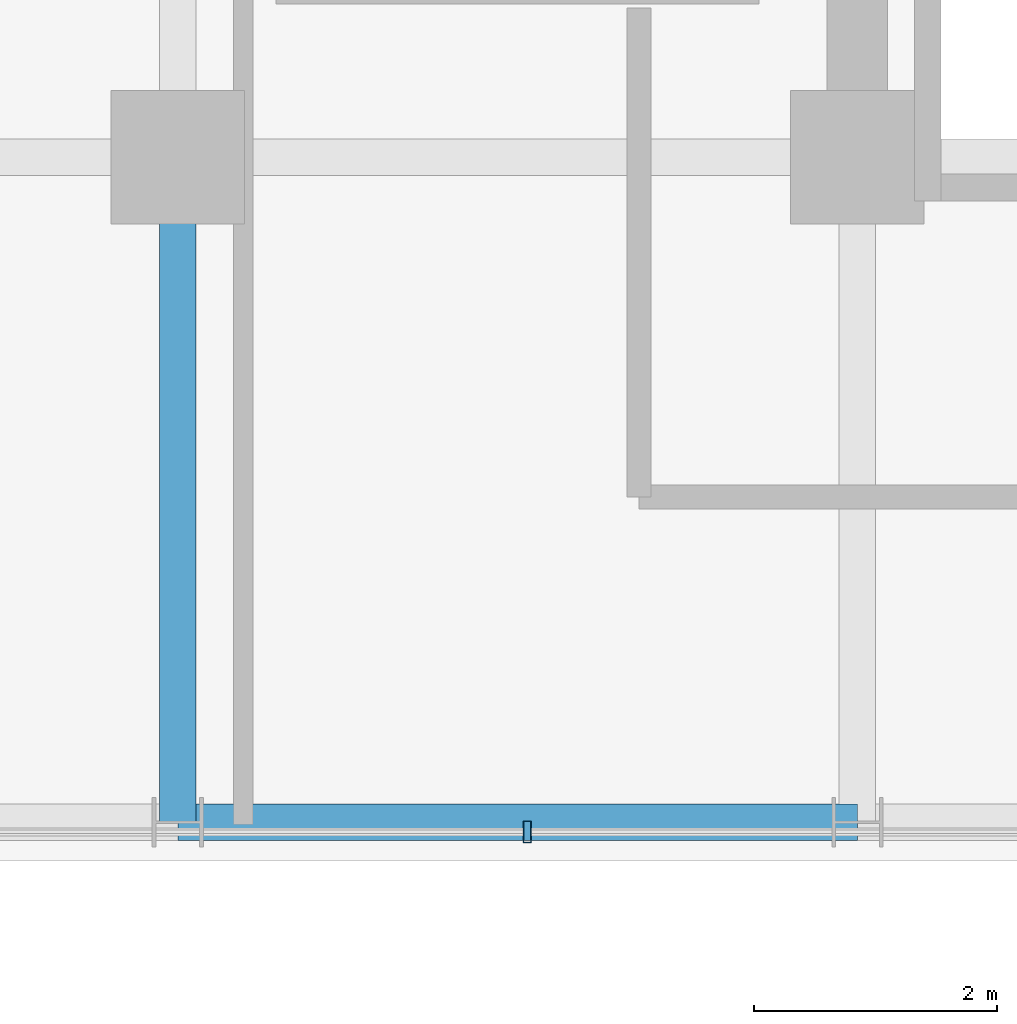
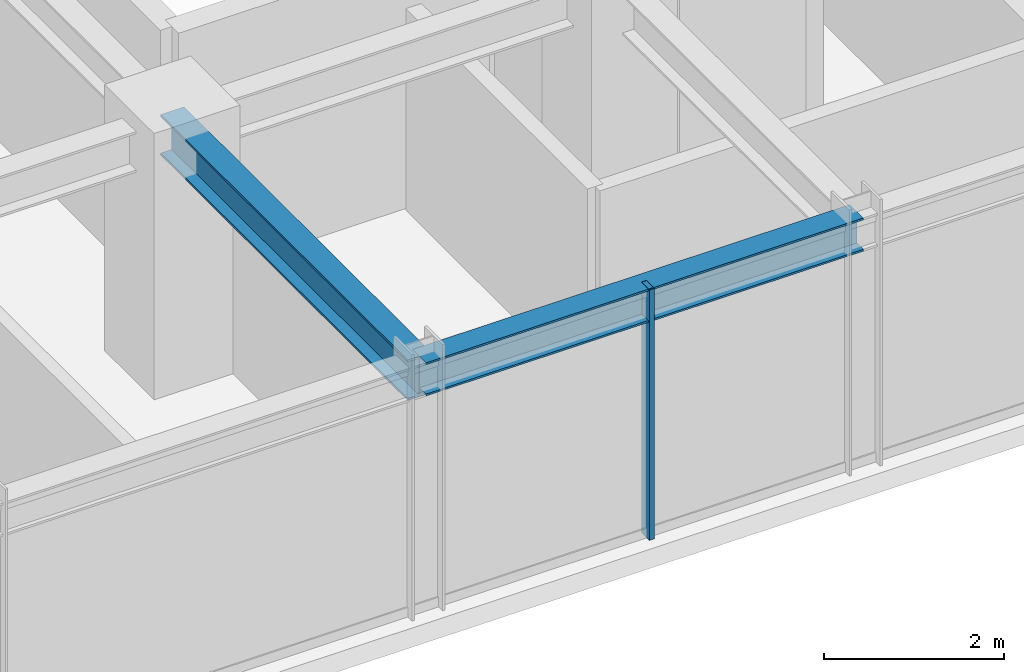
# One storey, part 7 of 31: 2 beams, 1 member, 1 element without a shape of its own.
"""IFC4 building model written with IfcOpenShell, lengths in metres."""

from ifc_helpers import new_model, si_unit, direction, frame, origin, origin_2d, place, context, subcontext, project, spatial, hollow_rectangle, i_section, extrude, source, transform, mapped, material, material_profile, profile_set, type_object, element, aggregate, save


model = new_model("IFC4")

# Units and contexts
model_context = context("Model", 3, precision=1e-05, world=origin(), true_north=direction((0.0, 1.0)))
body_context = subcontext(model_context, "Body", "Model", "MODEL_VIEW")
ifc_project = project(units=[si_unit("LENGTHUNIT", "METRE"), si_unit("AREAUNIT", "SQUARE_METRE"), si_unit("VOLUMEUNIT", "CUBIC_METRE"), si_unit("PLANEANGLEUNIT", "RADIAN"), si_unit("MASSUNIT", "GRAM", prefix="KILO")], contexts=[model_context])

# Site, building, storey
site_placement = place(None, origin())
site = spatial("IfcSite", under=ifc_project, at=site_placement, CompositionType="ELEMENT")
building_placement = place(site_placement, origin())
building = spatial("IfcBuilding", under=site, at=building_placement, Name="Nahalor Promenade Grand Hotel", CompositionType="ELEMENT")
storey_placement = place(building_placement, frame((0.0, 0.0, 156.300048828125)))
storey = spatial("IfcBuildingStorey", under=building, at=storey_placement, Name="L39", CompositionType="ELEMENT", Elevation=156.300048828125)

# Beams
ifc_material_1 = material(Name="Steel S355JR", Category="steel")
ifc_material_profile_1 = material_profile(ifc_material_1, i_section(OverallWidth=0.3, OverallDepth=0.55, WebThickness=0.015, FlangeThickness=0.029, at=origin_2d()), Name="HEB 550")
ifc_profile_set_1 = profile_set([ifc_material_profile_1], Name="Steel S355JR")
beam_type_1 = type_object("IfcBeamType", Name="Beam-Girder-HEB550", PredefinedType="BEAM", material=ifc_profile_set_1)
shared_shape_1 = source(origin(), body_context, "Body", "SweptSolid", [
    extrude(i_section(OverallWidth=0.3, OverallDepth=0.55, WebThickness=0.015, FlangeThickness=0.029, at=origin_2d()), origin(), (0.0, 0.0, 1.0), 5.47998046875),
])
beam_1_placement = place(storey_placement, frame((2.800048828125, -22.47998046875, 3.114990234375), z_axis=(0.0, 1.0, 0.0), x_axis=(-1.0, 0.0, 0.0)))
element("IfcBeam", 1, at=beam_1_placement, inside=storey, type_object=beam_type_1, Name="BM-L39-GY-3-0", PredefinedType="BEAM", context=body_context, shape_type="MappedRepresentation", body=[
    mapped(shared_shape_1, transform((0.0, 0.0, 0.0), scale=1.0)),
])
ifc_material_profile_2 = material_profile(ifc_material_1, i_section(OverallWidth=0.3, OverallDepth=0.45, WebThickness=0.014, FlangeThickness=0.026, at=origin_2d()), Name="HEB 450")
ifc_profile_set_2 = profile_set([ifc_material_profile_2], Name="Steel S355JR")
beam_type_2 = type_object("IfcBeamType", Name="Beam-Spandrel-HEB450", PredefinedType="SPANDREL", material=ifc_profile_set_2)
shared_shape_2 = source(origin(), body_context, "Body", "SweptSolid", [
    extrude(i_section(OverallWidth=0.3, OverallDepth=0.45, WebThickness=0.014, FlangeThickness=0.026, at=origin_2d()), origin(), (0.0, 0.0, 1.0), 5.599853515625),
])
beam_2_placement = place(storey_placement, frame((2.800048828125, -22.47998046875, 3.1650390625), z_axis=(1.0, 0.0, 0.0), x_axis=(0.0, 1.0, 0.0)))
element("IfcBeam", 2, at=beam_2_placement, inside=storey, type_object=beam_type_2, Name="BM-L39-SP-S-3", PredefinedType="SPANDREL", context=body_context, shape_type="MappedRepresentation", body=[
    mapped(shared_shape_2, transform((0.0, 0.0, 0.0), scale=1.0)),
])

# Curtain wall, member
ifc_material_2 = material(Name="Anodised Bronze Aluminium EN AW-6063 T6", Category="aluminium")
curtain_wall_type = type_object("IfcCurtainWallType", Name="CW2 Typical Hotel Flush Bronze Unitised Curtain Wall", PredefinedType="USERDEFINED", material=ifc_material_2)
curtain_wall_placement = place(storey_placement, origin())
curtain_wall = element("IfcCurtainWall", 3, at=curtain_wall_placement, inside=storey, type_object=curtain_wall_type, Name="L39 Curtain Wall CW-L39-S-3", ObjectType="UNITISED_CURTAIN_WALL", PredefinedType="USERDEFINED")
ifc_material_profile_3 = material_profile(ifc_material_2, hollow_rectangle(XDim=0.065, YDim=0.18, WallThickness=0.004, at=origin_2d()), Name="CWM 65x180x4")
ifc_profile_set_3 = profile_set([ifc_material_profile_3], Name="Anodised Bronze Aluminium EN AW-6063 T6")
member_type = type_object("IfcMemberType", Name="CWM2 Typical Bronze Mullion 65x180", PredefinedType="MULLION", material=ifc_profile_set_3)
shared_shape_3 = source(origin(), body_context, "Body", "SweptSolid", [
    extrude(hollow_rectangle(XDim=0.065, YDim=0.18, WallThickness=0.004, at=origin_2d()), origin(), (0.0, 0.0, 1.0), 3.389892578125),
])
member_placement = place(storey_placement, frame((5.679931640625, -22.56005859375, 0.0), z_axis=(0.0, 0.0, 1.0), x_axis=(1.0, 0.0, 0.0)))
member = element("IfcMember", 4, at=member_placement, type_object=member_type, Name="CW-L39-S-3 Mullion 1", PredefinedType="MULLION", context=body_context, shape_type="MappedRepresentation", body=[
    mapped(shared_shape_3, transform((0.0, 0.0, 0.0), scale=1.0)),
])
aggregate(curtain_wall, [member])

save(model, "model.ifc")
